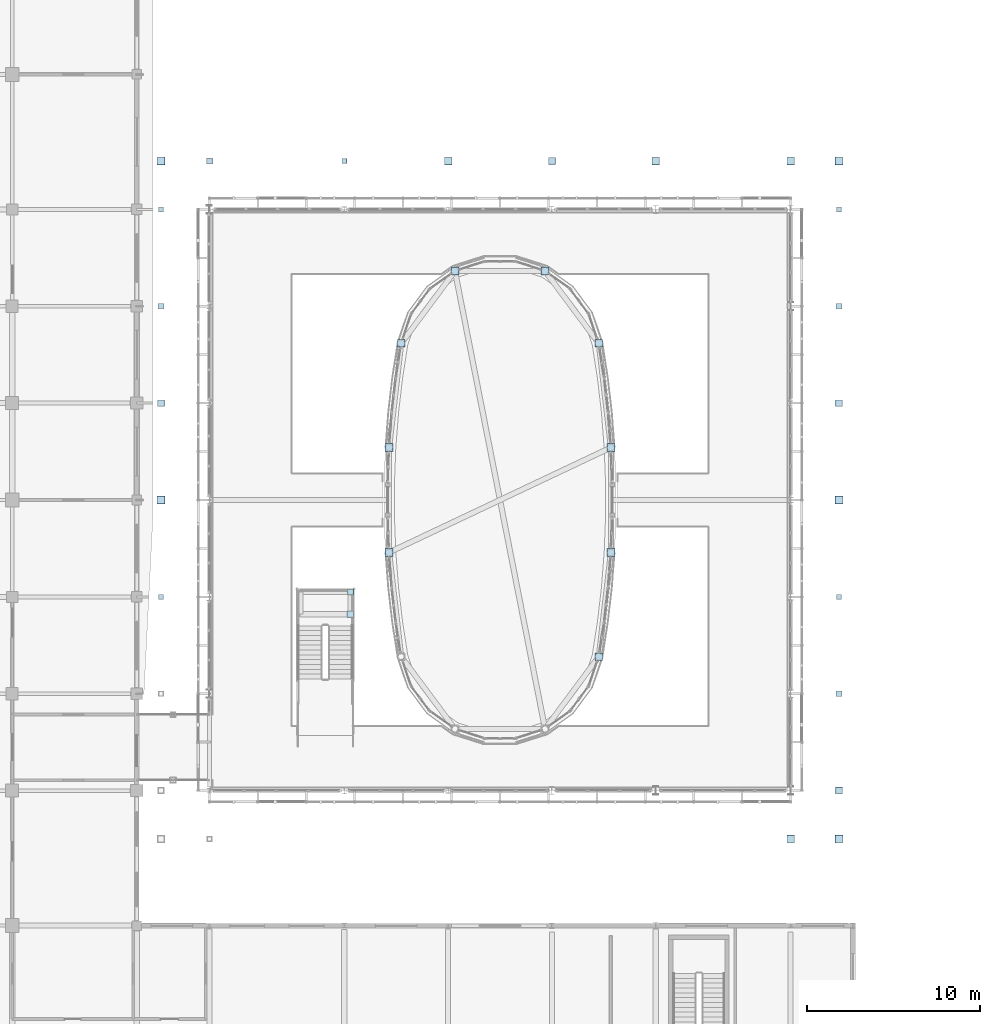
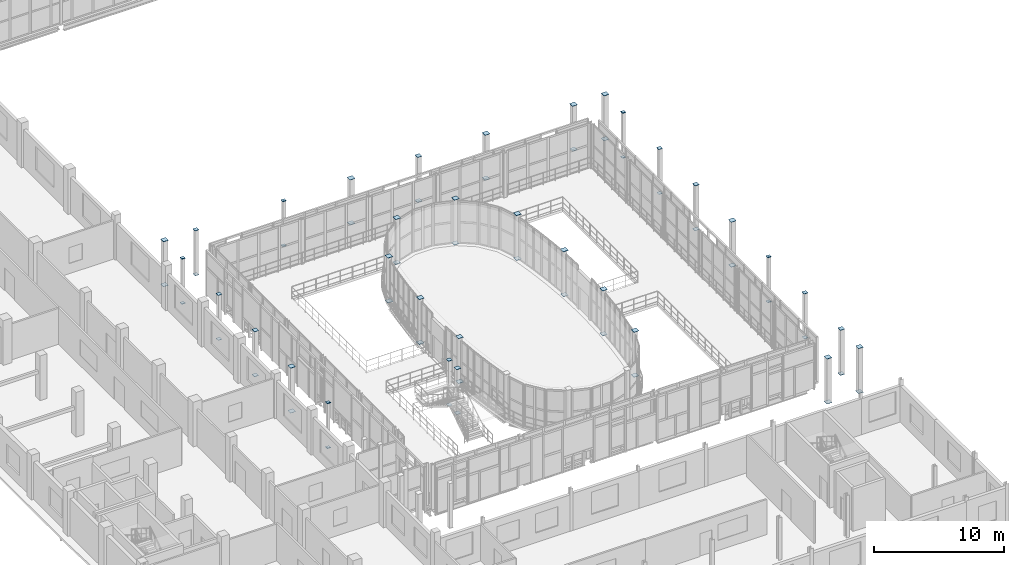
# One storey, part 89 of 121: 66 plates.
"""IFC4 building model written with IfcOpenShell, lengths in metres."""

from ifc_helpers import new_model, si_unit, direction, frame, origin, origin_2d, place, context, subcontext, project, spatial, rectangle, extrude, material, material_profile, profile_set, type_object, element, save


model = new_model("IFC4")

# Units and contexts
model_context = context("Model", 3, precision=1e-05, world=origin(), true_north=direction((0.0, 1.0)))
body_context = subcontext(model_context, "Body", "Model", "MODEL_VIEW")
ifc_project = project(units=[si_unit("LENGTHUNIT", "METRE"), si_unit("AREAUNIT", "SQUARE_METRE"), si_unit("VOLUMEUNIT", "CUBIC_METRE"), si_unit("PLANEANGLEUNIT", "RADIAN"), si_unit("MASSUNIT", "GRAM", prefix="KILO")], contexts=[model_context])

# Site, building, storey
site_placement = place(None, origin())
site = spatial("IfcSite", under=ifc_project, at=site_placement, CompositionType="ELEMENT")
building_placement = place(site_placement, origin())
building = spatial("IfcBuilding", under=site, at=building_placement, Name="Vinh Khe Railworks Police Headquarters", CompositionType="ELEMENT")
storey_placement = place(building_placement, frame((0.0, 0.0, 4.800048828125)))
storey = spatial("IfcBuildingStorey", under=building, at=storey_placement, Name="L01", CompositionType="ELEMENT", Elevation=4.800048828125)

# Plates
ifc_material = material(Name="Steel S355JR", Category="steel")
ifc_material_profile_1 = material_profile(ifc_material, rectangle(XDim=0.2900390625, YDim=0.2900390625, at=origin_2d()), Name="PL 290x290")
ifc_profile_set_1 = profile_set([ifc_material_profile_1], Name="Steel S355JR")
plate_type_1 = type_object("IfcPlateType", Name="Steel End-Cap Plate 290x290x24", PredefinedType="SHEET", material=ifc_profile_set_1)
plate_1_placement = place(storey_placement, frame((23.60009765625, 36.39990234375, 0.0), z_axis=(0.0, 0.0, -1.0), x_axis=(1.0, 0.0, 0.0)))
element("IfcPlate", 1, at=plate_1_placement, inside=storey, type_object=plate_type_1, Name="End-Cap Gusset Plate PLT-EP-0159", PredefinedType="SHEET", context=body_context, shape_type="SweptSolid", body=[
    extrude(rectangle(XDim=0.2900390625, YDim=0.2900390625, at=origin_2d()), origin(), (0.0, 0.0, 1.0), 0.024169921875),
])
plate_2_placement = place(storey_placement, frame((23.60009765625, 36.39990234375, 4.199951171875), z_axis=(0.0, 0.0, 1.0), x_axis=(1.0, 0.0, 0.0)))
element("IfcPlate", 2, at=plate_2_placement, inside=storey, type_object=plate_type_1, Name="End-Cap Gusset Plate PLT-EP-0162", PredefinedType="SHEET", context=body_context, shape_type="SweptSolid", body=[
    extrude(rectangle(XDim=0.2900390625, YDim=0.2900390625, at=origin_2d()), origin(), (0.0, 0.0, 1.0), 0.02392578125),
])
plate_3_placement = place(storey_placement, frame((23.60009765625, 58.800048828125, 0.0), z_axis=(0.0, 0.0, -1.0), x_axis=(1.0, 0.0, 0.0)))
element("IfcPlate", 3, at=plate_3_placement, inside=storey, type_object=plate_type_1, Name="End-Cap Gusset Plate PLT-EP-0196", PredefinedType="SHEET", context=body_context, shape_type="SweptSolid", body=[
    extrude(rectangle(XDim=0.2900390625, YDim=0.2900390625, at=origin_2d()), origin(), (0.0, 0.0, 1.0), 0.024169921875),
])
plate_4_placement = place(storey_placement, frame((23.60009765625, 58.800048828125, 4.199951171875), z_axis=(0.0, 0.0, 1.0), x_axis=(1.0, 0.0, 0.0)))
element("IfcPlate", 4, at=plate_4_placement, inside=storey, type_object=plate_type_1, Name="End-Cap Gusset Plate PLT-EP-0199", PredefinedType="SHEET", context=body_context, shape_type="SweptSolid", body=[
    extrude(rectangle(XDim=0.2900390625, YDim=0.2900390625, at=origin_2d()), origin(), (0.0, 0.0, 1.0), 0.02392578125),
])
plate_5_placement = place(storey_placement, frame((34.199951171875, 61.60009765625, 0.0), z_axis=(0.0, 0.0, -1.0), x_axis=(1.0, 0.0, 0.0)))
element("IfcPlate", 5, at=plate_5_placement, inside=storey, type_object=plate_type_1, Name="End-Cap Gusset Plate PLT-EP-0307", PredefinedType="SHEET", context=body_context, shape_type="SweptSolid", body=[
    extrude(rectangle(XDim=0.2900390625, YDim=0.2900390625, at=origin_2d()), origin(), (0.0, 0.0, 1.0), 0.024169921875),
])
plate_6_placement = place(storey_placement, frame((34.199951171875, 61.60009765625, 4.199951171875), z_axis=(0.0, 0.0, 1.0), x_axis=(1.0, 0.0, 0.0)))
element("IfcPlate", 6, at=plate_6_placement, inside=storey, type_object=plate_type_1, Name="End-Cap Gusset Plate PLT-EP-0310", PredefinedType="SHEET", context=body_context, shape_type="SweptSolid", body=[
    extrude(rectangle(XDim=0.2900390625, YDim=0.2900390625, at=origin_2d()), origin(), (0.0, 0.0, 1.0), 0.02392578125),
])
plate_7_placement = place(storey_placement, frame((62.800048828125, 36.39990234375, 0.0), z_axis=(0.0, 0.0, -1.0), x_axis=(1.0, 0.0, 0.0)))
element("IfcPlate", 7, at=plate_7_placement, inside=storey, type_object=plate_type_1, Name="End-Cap Gusset Plate PLT-EP-0607", PredefinedType="SHEET", context=body_context, shape_type="SweptSolid", body=[
    extrude(rectangle(XDim=0.2900390625, YDim=0.2900390625, at=origin_2d()), origin(), (0.0, 0.0, 1.0), 0.024169921875),
])
plate_8_placement = place(storey_placement, frame((62.800048828125, 36.39990234375, 4.199951171875), z_axis=(0.0, 0.0, 1.0), x_axis=(1.0, 0.0, 0.0)))
element("IfcPlate", 8, at=plate_8_placement, inside=storey, type_object=plate_type_1, Name="End-Cap Gusset Plate PLT-EP-0610", PredefinedType="SHEET", context=body_context, shape_type="SweptSolid", body=[
    extrude(rectangle(XDim=0.2900390625, YDim=0.2900390625, at=origin_2d()), origin(), (0.0, 0.0, 1.0), 0.02392578125),
])
plate_9_placement = place(storey_placement, frame((62.800048828125, 58.800048828125, 0.0), z_axis=(0.0, 0.0, -1.0), x_axis=(1.0, 0.0, 0.0)))
element("IfcPlate", 9, at=plate_9_placement, inside=storey, type_object=plate_type_1, Name="End-Cap Gusset Plate PLT-EP-0644", PredefinedType="SHEET", context=body_context, shape_type="SweptSolid", body=[
    extrude(rectangle(XDim=0.2900390625, YDim=0.2900390625, at=origin_2d()), origin(), (0.0, 0.0, 1.0), 0.024169921875),
])
plate_10_placement = place(storey_placement, frame((62.800048828125, 58.800048828125, 4.199951171875), z_axis=(0.0, 0.0, 1.0), x_axis=(1.0, 0.0, 0.0)))
element("IfcPlate", 10, at=plate_10_placement, inside=storey, type_object=plate_type_1, Name="End-Cap Gusset Plate PLT-EP-0647", PredefinedType="SHEET", context=body_context, shape_type="SweptSolid", body=[
    extrude(rectangle(XDim=0.2900390625, YDim=0.2900390625, at=origin_2d()), origin(), (0.0, 0.0, 1.0), 0.02392578125),
])
ifc_material_profile_2 = material_profile(ifc_material, rectangle(XDim=0.340087890625, YDim=0.340087890625, at=origin_2d()), Name="PL 340x340")
ifc_profile_set_2 = profile_set([ifc_material_profile_2], Name="Steel S355JR")
plate_type_2 = type_object("IfcPlateType", Name="Steel End-Cap Plate 340x340x24", PredefinedType="SHEET", material=ifc_profile_set_2)
plate_11_placement = place(storey_placement, frame((23.60009765625, 53.199951171875, 0.0), z_axis=(0.0, 0.0, -1.0), x_axis=(1.0, 0.0, 0.0)))
element("IfcPlate", 11, at=plate_11_placement, inside=storey, type_object=plate_type_2, Name="End-Cap Gusset Plate PLT-EP-0187", PredefinedType="SHEET", context=body_context, shape_type="SweptSolid", body=[
    extrude(rectangle(XDim=0.340087890625, YDim=0.340087890625, at=origin_2d()), origin(), (0.0, 0.0, 1.0), 0.024169921875),
])
plate_12_placement = place(storey_placement, frame((23.60009765625, 53.199951171875, 4.199951171875), z_axis=(0.0, 0.0, 1.0), x_axis=(1.0, 0.0, 0.0)))
element("IfcPlate", 12, at=plate_12_placement, inside=storey, type_object=plate_type_2, Name="End-Cap Gusset Plate PLT-EP-0190", PredefinedType="SHEET", context=body_context, shape_type="SweptSolid", body=[
    extrude(rectangle(XDim=0.340087890625, YDim=0.340087890625, at=origin_2d()), origin(), (0.0, 0.0, 1.0), 0.02392578125),
])
plate_13_placement = place(storey_placement, frame((26.39990234375, 61.60009765625, 0.0), z_axis=(0.0, 0.0, -1.0), x_axis=(1.0, 0.0, 0.0)))
element("IfcPlate", 13, at=plate_13_placement, inside=storey, type_object=plate_type_2, Name="End-Cap Gusset Plate PLT-EP-0245", PredefinedType="SHEET", context=body_context, shape_type="SweptSolid", body=[
    extrude(rectangle(XDim=0.340087890625, YDim=0.340087890625, at=origin_2d()), origin(), (0.0, 0.0, 1.0), 0.024169921875),
])
plate_14_placement = place(storey_placement, frame((26.39990234375, 61.60009765625, 4.199951171875), z_axis=(0.0, 0.0, 1.0), x_axis=(1.0, 0.0, 0.0)))
element("IfcPlate", 14, at=plate_14_placement, inside=storey, type_object=plate_type_2, Name="End-Cap Gusset Plate PLT-EP-0248", PredefinedType="SHEET", context=body_context, shape_type="SweptSolid", body=[
    extrude(rectangle(XDim=0.340087890625, YDim=0.340087890625, at=origin_2d()), origin(), (0.0, 0.0, 1.0), 0.02392578125),
])
plate_15_placement = place(storey_placement, frame((34.550048828125, 36.679931640625, 0.0), z_axis=(0.0, 0.0, -1.0), x_axis=(1.0, 0.0, 0.0)))
element("IfcPlate", 15, at=plate_15_placement, inside=storey, type_object=plate_type_2, Name="End-Cap Gusset Plate PLT-EP-0321", PredefinedType="SHEET", context=body_context, shape_type="SweptSolid", body=[
    extrude(rectangle(XDim=0.340087890625, YDim=0.340087890625, at=origin_2d()), origin(), (0.0, 0.0, 1.0), 0.024169921875),
])
plate_16_placement = place(storey_placement, frame((34.550048828125, 36.679931640625, 4.199951171875), z_axis=(0.0, 0.0, 1.0), x_axis=(1.0, 0.0, 0.0)))
element("IfcPlate", 16, at=plate_16_placement, inside=storey, type_object=plate_type_2, Name="End-Cap Gusset Plate PLT-EP-0324", PredefinedType="SHEET", context=body_context, shape_type="SweptSolid", body=[
    extrude(rectangle(XDim=0.340087890625, YDim=0.340087890625, at=origin_2d()), origin(), (0.0, 0.0, 1.0), 0.02392578125),
])
plate_17_placement = place(storey_placement, frame((62.800048828125, 30.800048828125, 0.0), z_axis=(0.0, 0.0, -1.0), x_axis=(1.0, 0.0, 0.0)))
element("IfcPlate", 17, at=plate_17_placement, inside=storey, type_object=plate_type_2, Name="End-Cap Gusset Plate PLT-EP-0599", PredefinedType="SHEET", context=body_context, shape_type="SweptSolid", body=[
    extrude(rectangle(XDim=0.340087890625, YDim=0.340087890625, at=origin_2d()), origin(), (0.0, 0.0, 1.0), 0.024169921875),
])
plate_18_placement = place(storey_placement, frame((62.800048828125, 30.800048828125, 4.199951171875), z_axis=(0.0, 0.0, 1.0), x_axis=(1.0, 0.0, 0.0)))
element("IfcPlate", 18, at=plate_18_placement, inside=storey, type_object=plate_type_2, Name="End-Cap Gusset Plate PLT-EP-0602", PredefinedType="SHEET", context=body_context, shape_type="SweptSolid", body=[
    extrude(rectangle(XDim=0.340087890625, YDim=0.340087890625, at=origin_2d()), origin(), (0.0, 0.0, 1.0), 0.02392578125),
])
plate_19_placement = place(storey_placement, frame((62.800048828125, 53.199951171875, 0.0), z_axis=(0.0, 0.0, -1.0), x_axis=(1.0, 0.0, 0.0)))
element("IfcPlate", 19, at=plate_19_placement, inside=storey, type_object=plate_type_2, Name="End-Cap Gusset Plate PLT-EP-0635", PredefinedType="SHEET", context=body_context, shape_type="SweptSolid", body=[
    extrude(rectangle(XDim=0.340087890625, YDim=0.340087890625, at=origin_2d()), origin(), (0.0, 0.0, 1.0), 0.024169921875),
])
plate_20_placement = place(storey_placement, frame((62.800048828125, 53.199951171875, 4.199951171875), z_axis=(0.0, 0.0, 1.0), x_axis=(1.0, 0.0, 0.0)))
element("IfcPlate", 20, at=plate_20_placement, inside=storey, type_object=plate_type_2, Name="End-Cap Gusset Plate PLT-EP-0638", PredefinedType="SHEET", context=body_context, shape_type="SweptSolid", body=[
    extrude(rectangle(XDim=0.340087890625, YDim=0.340087890625, at=origin_2d()), origin(), (0.0, 0.0, 1.0), 0.02392578125),
])
ifc_material_profile_3 = material_profile(ifc_material, rectangle(XDim=0.389892578125, YDim=0.389892578125, at=origin_2d()), Name="PL 390x390")
ifc_profile_set_3 = profile_set([ifc_material_profile_3], Name="Steel S355JR")
plate_type_3 = type_object("IfcPlateType", Name="Steel End-Cap Plate 390x390x24", PredefinedType="SHEET", material=ifc_profile_set_3)
plate_21_placement = place(storey_placement, frame((23.60009765625, 47.60009765625, 0.0), z_axis=(0.0, 0.0, -1.0), x_axis=(1.0, 0.0, 0.0)))
element("IfcPlate", 21, at=plate_21_placement, inside=storey, type_object=plate_type_3, Name="End-Cap Gusset Plate PLT-EP-0178", PredefinedType="SHEET", context=body_context, shape_type="SweptSolid", body=[
    extrude(rectangle(XDim=0.389892578125, YDim=0.389892578125, at=origin_2d()), origin(), (0.0, 0.0, 1.0), 0.024169921875),
])
plate_22_placement = place(storey_placement, frame((23.60009765625, 47.60009765625, 4.199951171875), z_axis=(0.0, 0.0, 1.0), x_axis=(1.0, 0.0, 0.0)))
element("IfcPlate", 22, at=plate_22_placement, inside=storey, type_object=plate_type_3, Name="End-Cap Gusset Plate PLT-EP-0181", PredefinedType="SHEET", context=body_context, shape_type="SweptSolid", body=[
    extrude(rectangle(XDim=0.389892578125, YDim=0.389892578125, at=origin_2d()), origin(), (0.0, 0.0, 1.0), 0.02392578125),
])
plate_23_placement = place(storey_placement, frame((34.550048828125, 35.39990234375, 0.0), z_axis=(0.0, 0.0, -1.0), x_axis=(1.0, 0.0, 0.0)))
element("IfcPlate", 23, at=plate_23_placement, inside=storey, type_object=plate_type_3, Name="End-Cap Gusset Plate PLT-EP-0315", PredefinedType="SHEET", context=body_context, shape_type="SweptSolid", body=[
    extrude(rectangle(XDim=0.389892578125, YDim=0.389892578125, at=origin_2d()), origin(), (0.0, 0.0, 1.0), 0.024169921875),
])
plate_24_placement = place(storey_placement, frame((34.550048828125, 35.39990234375, 4.199951171875), z_axis=(0.0, 0.0, 1.0), x_axis=(1.0, 0.0, 0.0)))
element("IfcPlate", 24, at=plate_24_placement, inside=storey, type_object=plate_type_3, Name="End-Cap Gusset Plate PLT-EP-0318", PredefinedType="SHEET", context=body_context, shape_type="SweptSolid", body=[
    extrude(rectangle(XDim=0.389892578125, YDim=0.389892578125, at=origin_2d()), origin(), (0.0, 0.0, 1.0), 0.02392578125),
])
plate_25_placement = place(storey_placement, frame((46.199951171875, 61.60009765625, 0.0), z_axis=(0.0, 0.0, -1.0), x_axis=(1.0, 0.0, 0.0)))
element("IfcPlate", 25, at=plate_25_placement, inside=storey, type_object=plate_type_3, Name="End-Cap Gusset Plate PLT-EP-0451", PredefinedType="SHEET", context=body_context, shape_type="SweptSolid", body=[
    extrude(rectangle(XDim=0.389892578125, YDim=0.389892578125, at=origin_2d()), origin(), (0.0, 0.0, 1.0), 0.024169921875),
])
plate_26_placement = place(storey_placement, frame((46.199951171875, 61.60009765625, 4.199951171875), z_axis=(0.0, 0.0, 1.0), x_axis=(1.0, 0.0, 0.0)))
element("IfcPlate", 26, at=plate_26_placement, inside=storey, type_object=plate_type_3, Name="End-Cap Gusset Plate PLT-EP-0454", PredefinedType="SHEET", context=body_context, shape_type="SweptSolid", body=[
    extrude(rectangle(XDim=0.389892578125, YDim=0.389892578125, at=origin_2d()), origin(), (0.0, 0.0, 1.0), 0.02392578125),
])
plate_27_placement = place(storey_placement, frame((62.800048828125, 25.199951171875, 0.0), z_axis=(0.0, 0.0, -1.0), x_axis=(1.0, 0.0, 0.0)))
element("IfcPlate", 27, at=plate_27_placement, inside=storey, type_object=plate_type_3, Name="End-Cap Gusset Plate PLT-EP-0590", PredefinedType="SHEET", context=body_context, shape_type="SweptSolid", body=[
    extrude(rectangle(XDim=0.389892578125, YDim=0.389892578125, at=origin_2d()), origin(), (0.0, 0.0, 1.0), 0.024169921875),
])
plate_28_placement = place(storey_placement, frame((62.800048828125, 25.199951171875, 4.199951171875), z_axis=(0.0, 0.0, 1.0), x_axis=(1.0, 0.0, 0.0)))
element("IfcPlate", 28, at=plate_28_placement, inside=storey, type_object=plate_type_3, Name="End-Cap Gusset Plate PLT-EP-0593", PredefinedType="SHEET", context=body_context, shape_type="SweptSolid", body=[
    extrude(rectangle(XDim=0.389892578125, YDim=0.389892578125, at=origin_2d()), origin(), (0.0, 0.0, 1.0), 0.02392578125),
])
plate_29_placement = place(storey_placement, frame((62.800048828125, 47.60009765625, 0.0), z_axis=(0.0, 0.0, -1.0), x_axis=(1.0, 0.0, 0.0)))
element("IfcPlate", 29, at=plate_29_placement, inside=storey, type_object=plate_type_3, Name="End-Cap Gusset Plate PLT-EP-0626", PredefinedType="SHEET", context=body_context, shape_type="SweptSolid", body=[
    extrude(rectangle(XDim=0.389892578125, YDim=0.389892578125, at=origin_2d()), origin(), (0.0, 0.0, 1.0), 0.024169921875),
])
plate_30_placement = place(storey_placement, frame((62.800048828125, 47.60009765625, 4.199951171875), z_axis=(0.0, 0.0, 1.0), x_axis=(1.0, 0.0, 0.0)))
element("IfcPlate", 30, at=plate_30_placement, inside=storey, type_object=plate_type_3, Name="End-Cap Gusset Plate PLT-EP-0629", PredefinedType="SHEET", context=body_context, shape_type="SweptSolid", body=[
    extrude(rectangle(XDim=0.389892578125, YDim=0.389892578125, at=origin_2d()), origin(), (0.0, 0.0, 1.0), 0.02392578125),
])
ifc_material_profile_4 = material_profile(ifc_material, rectangle(XDim=0.43994140625, YDim=0.43994140625, at=origin_2d()), Name="PL 440x440")
ifc_profile_set_4 = profile_set([ifc_material_profile_4], Name="Steel S355JR")
plate_type_4 = type_object("IfcPlateType", Name="Steel End-Cap Plate 440x440x24", PredefinedType="SHEET", material=ifc_profile_set_4)
plate_31_placement = place(storey_placement, frame((23.60009765625, 42.0, 0.0), z_axis=(0.0, 0.0, -1.0), x_axis=(1.0, 0.0, 0.0)))
element("IfcPlate", 31, at=plate_31_placement, inside=storey, type_object=plate_type_4, Name="End-Cap Gusset Plate PLT-EP-0168", PredefinedType="SHEET", context=body_context, shape_type="SweptSolid", body=[
    extrude(rectangle(XDim=0.43994140625, YDim=0.43994140625, at=origin_2d()), origin(), (0.0, 0.0, 1.0), 0.024169921875),
])
plate_32_placement = place(storey_placement, frame((23.60009765625, 42.0, 4.199951171875), z_axis=(0.0, 0.0, 1.0), x_axis=(1.0, 0.0, 0.0)))
element("IfcPlate", 32, at=plate_32_placement, inside=storey, type_object=plate_type_4, Name="End-Cap Gusset Plate PLT-EP-0171", PredefinedType="SHEET", context=body_context, shape_type="SweptSolid", body=[
    extrude(rectangle(XDim=0.43994140625, YDim=0.43994140625, at=origin_2d()), origin(), (0.0, 0.0, 1.0), 0.02392578125),
])
plate_33_placement = place(storey_placement, frame((23.60009765625, 61.60009765625, 0.0), z_axis=(0.0, 0.0, -1.0), x_axis=(1.0, 0.0, 0.0)))
element("IfcPlate", 33, at=plate_33_placement, inside=storey, type_object=plate_type_4, Name="End-Cap Gusset Plate PLT-EP-0204", PredefinedType="SHEET", context=body_context, shape_type="SweptSolid", body=[
    extrude(rectangle(XDim=0.43994140625, YDim=0.43994140625, at=origin_2d()), origin(), (0.0, 0.0, 1.0), 0.024169921875),
])
plate_34_placement = place(storey_placement, frame((23.60009765625, 61.60009765625, 4.199951171875), z_axis=(0.0, 0.0, 1.0), x_axis=(1.0, 0.0, 0.0)))
element("IfcPlate", 34, at=plate_34_placement, inside=storey, type_object=plate_type_4, Name="End-Cap Gusset Plate PLT-EP-0207", PredefinedType="SHEET", context=body_context, shape_type="SweptSolid", body=[
    extrude(rectangle(XDim=0.43994140625, YDim=0.43994140625, at=origin_2d()), origin(), (0.0, 0.0, 1.0), 0.02392578125),
])
plate_35_placement = place(storey_placement, frame((40.199951171875, 61.60009765625, 0.0), z_axis=(0.0, 0.0, -1.0), x_axis=(1.0, 0.0, 0.0)))
element("IfcPlate", 35, at=plate_35_placement, inside=storey, type_object=plate_type_4, Name="End-Cap Gusset Plate PLT-EP-0381", PredefinedType="SHEET", context=body_context, shape_type="SweptSolid", body=[
    extrude(rectangle(XDim=0.43994140625, YDim=0.43994140625, at=origin_2d()), origin(), (0.0, 0.0, 1.0), 0.024169921875),
])
plate_36_placement = place(storey_placement, frame((40.199951171875, 61.60009765625, 4.199951171875), z_axis=(0.0, 0.0, 1.0), x_axis=(1.0, 0.0, 0.0)))
element("IfcPlate", 36, at=plate_36_placement, inside=storey, type_object=plate_type_4, Name="End-Cap Gusset Plate PLT-EP-0384", PredefinedType="SHEET", context=body_context, shape_type="SweptSolid", body=[
    extrude(rectangle(XDim=0.43994140625, YDim=0.43994140625, at=origin_2d()), origin(), (0.0, 0.0, 1.0), 0.02392578125),
])
plate_37_placement = place(storey_placement, frame((52.199951171875, 61.60009765625, 0.0), z_axis=(0.0, 0.0, -1.0), x_axis=(1.0, 0.0, 0.0)))
element("IfcPlate", 37, at=plate_37_placement, inside=storey, type_object=plate_type_4, Name="End-Cap Gusset Plate PLT-EP-0521", PredefinedType="SHEET", context=body_context, shape_type="SweptSolid", body=[
    extrude(rectangle(XDim=0.43994140625, YDim=0.43994140625, at=origin_2d()), origin(), (0.0, 0.0, 1.0), 0.024169921875),
])
plate_38_placement = place(storey_placement, frame((52.199951171875, 61.60009765625, 4.199951171875), z_axis=(0.0, 0.0, 1.0), x_axis=(1.0, 0.0, 0.0)))
element("IfcPlate", 38, at=plate_38_placement, inside=storey, type_object=plate_type_4, Name="End-Cap Gusset Plate PLT-EP-0524", PredefinedType="SHEET", context=body_context, shape_type="SweptSolid", body=[
    extrude(rectangle(XDim=0.43994140625, YDim=0.43994140625, at=origin_2d()), origin(), (0.0, 0.0, 1.0), 0.02392578125),
])
plate_39_placement = place(storey_placement, frame((60.0, 22.39990234375, 0.0), z_axis=(0.0, 0.0, -1.0), x_axis=(1.0, 0.0, 0.0)))
element("IfcPlate", 39, at=plate_39_placement, inside=storey, type_object=plate_type_4, Name="End-Cap Gusset Plate PLT-EP-0551", PredefinedType="SHEET", context=body_context, shape_type="SweptSolid", body=[
    extrude(rectangle(XDim=0.43994140625, YDim=0.43994140625, at=origin_2d()), origin(), (0.0, 0.0, 1.0), 0.024169921875),
])
plate_40_placement = place(storey_placement, frame((60.0, 22.39990234375, 4.199951171875), z_axis=(0.0, 0.0, 1.0), x_axis=(1.0, 0.0, 0.0)))
element("IfcPlate", 40, at=plate_40_placement, inside=storey, type_object=plate_type_4, Name="End-Cap Gusset Plate PLT-EP-0554", PredefinedType="SHEET", context=body_context, shape_type="SweptSolid", body=[
    extrude(rectangle(XDim=0.43994140625, YDim=0.43994140625, at=origin_2d()), origin(), (0.0, 0.0, 1.0), 0.02392578125),
])
plate_41_placement = place(storey_placement, frame((60.0, 61.60009765625, 0.0), z_axis=(0.0, 0.0, -1.0), x_axis=(1.0, 0.0, 0.0)))
element("IfcPlate", 41, at=plate_41_placement, inside=storey, type_object=plate_type_4, Name="End-Cap Gusset Plate PLT-EP-0572", PredefinedType="SHEET", context=body_context, shape_type="SweptSolid", body=[
    extrude(rectangle(XDim=0.43994140625, YDim=0.43994140625, at=origin_2d()), origin(), (0.0, 0.0, 1.0), 0.024169921875),
])
plate_42_placement = place(storey_placement, frame((60.0, 61.60009765625, 4.199951171875), z_axis=(0.0, 0.0, 1.0), x_axis=(1.0, 0.0, 0.0)))
element("IfcPlate", 42, at=plate_42_placement, inside=storey, type_object=plate_type_4, Name="End-Cap Gusset Plate PLT-EP-0575", PredefinedType="SHEET", context=body_context, shape_type="SweptSolid", body=[
    extrude(rectangle(XDim=0.43994140625, YDim=0.43994140625, at=origin_2d()), origin(), (0.0, 0.0, 1.0), 0.02392578125),
])
plate_43_placement = place(storey_placement, frame((62.800048828125, 22.39990234375, 0.0), z_axis=(0.0, 0.0, -1.0), x_axis=(1.0, 0.0, 0.0)))
element("IfcPlate", 43, at=plate_43_placement, inside=storey, type_object=plate_type_4, Name="End-Cap Gusset Plate PLT-EP-0582", PredefinedType="SHEET", context=body_context, shape_type="SweptSolid", body=[
    extrude(rectangle(XDim=0.43994140625, YDim=0.43994140625, at=origin_2d()), origin(), (0.0, 0.0, 1.0), 0.024169921875),
])
plate_44_placement = place(storey_placement, frame((62.800048828125, 22.39990234375, 4.199951171875), z_axis=(0.0, 0.0, 1.0), x_axis=(1.0, 0.0, 0.0)))
element("IfcPlate", 44, at=plate_44_placement, inside=storey, type_object=plate_type_4, Name="End-Cap Gusset Plate PLT-EP-0585", PredefinedType="SHEET", context=body_context, shape_type="SweptSolid", body=[
    extrude(rectangle(XDim=0.43994140625, YDim=0.43994140625, at=origin_2d()), origin(), (0.0, 0.0, 1.0), 0.02392578125),
])
plate_45_placement = place(storey_placement, frame((62.800048828125, 42.0, 0.0), z_axis=(0.0, 0.0, -1.0), x_axis=(1.0, 0.0, 0.0)))
element("IfcPlate", 45, at=plate_45_placement, inside=storey, type_object=plate_type_4, Name="End-Cap Gusset Plate PLT-EP-0616", PredefinedType="SHEET", context=body_context, shape_type="SweptSolid", body=[
    extrude(rectangle(XDim=0.43994140625, YDim=0.43994140625, at=origin_2d()), origin(), (0.0, 0.0, 1.0), 0.024169921875),
])
plate_46_placement = place(storey_placement, frame((62.800048828125, 42.0, 4.199951171875), z_axis=(0.0, 0.0, 1.0), x_axis=(1.0, 0.0, 0.0)))
element("IfcPlate", 46, at=plate_46_placement, inside=storey, type_object=plate_type_4, Name="End-Cap Gusset Plate PLT-EP-0619", PredefinedType="SHEET", context=body_context, shape_type="SweptSolid", body=[
    extrude(rectangle(XDim=0.43994140625, YDim=0.43994140625, at=origin_2d()), origin(), (0.0, 0.0, 1.0), 0.02392578125),
])
plate_47_placement = place(storey_placement, frame((62.800048828125, 61.60009765625, 0.0), z_axis=(0.0, 0.0, -1.0), x_axis=(1.0, 0.0, 0.0)))
element("IfcPlate", 47, at=plate_47_placement, inside=storey, type_object=plate_type_4, Name="End-Cap Gusset Plate PLT-EP-0652", PredefinedType="SHEET", context=body_context, shape_type="SweptSolid", body=[
    extrude(rectangle(XDim=0.43994140625, YDim=0.43994140625, at=origin_2d()), origin(), (0.0, 0.0, 1.0), 0.024169921875),
])
plate_48_placement = place(storey_placement, frame((62.800048828125, 61.60009765625, 4.199951171875), z_axis=(0.0, 0.0, 1.0), x_axis=(1.0, 0.0, 0.0)))
element("IfcPlate", 48, at=plate_48_placement, inside=storey, type_object=plate_type_4, Name="End-Cap Gusset Plate PLT-EP-0655", PredefinedType="SHEET", context=body_context, shape_type="SweptSolid", body=[
    extrude(rectangle(XDim=0.43994140625, YDim=0.43994140625, at=origin_2d()), origin(), (0.0, 0.0, 1.0), 0.02392578125),
])
ifc_material_profile_5 = material_profile(ifc_material, rectangle(XDim=0.446044921875, YDim=0.446044921875, at=origin_2d()), Name="PL 446x446")
ifc_profile_set_5 = profile_set([ifc_material_profile_5], Name="Steel S355JR")
plate_type_5 = type_object("IfcPlateType", Name="Steel End-Cap Plate 446x446x24", PredefinedType="SHEET", material=ifc_profile_set_5)
plate_49_placement = place(storey_placement, frame((36.78759765625, 38.968017578125, 0.0), z_axis=(0.0, 0.0, -1.0), x_axis=(1.0, 0.0, 0.0)))
element("IfcPlate", 49, at=plate_49_placement, inside=storey, type_object=plate_type_5, Name="End-Cap Gusset Plate PLT-EP-0335", PredefinedType="SHEET", context=body_context, shape_type="SweptSolid", body=[
    extrude(rectangle(XDim=0.446044921875, YDim=0.446044921875, at=origin_2d()), origin(), (0.0, 0.0, 1.0), 0.024169921875),
])
plate_50_placement = place(storey_placement, frame((36.78759765625, 38.968017578125, 4.199951171875), z_axis=(0.0, 0.0, 1.0), x_axis=(1.0, 0.0, 0.0)))
element("IfcPlate", 50, at=plate_50_placement, inside=storey, type_object=plate_type_5, Name="End-Cap Gusset Plate PLT-EP-0338", PredefinedType="SHEET", context=body_context, shape_type="SweptSolid", body=[
    extrude(rectangle(XDim=0.446044921875, YDim=0.446044921875, at=origin_2d()), origin(), (0.0, 0.0, 1.0), 0.02392578125),
])
plate_51_placement = place(storey_placement, frame((36.78759765625, 45.031982421875, 0.0), z_axis=(0.0, 0.0, -1.0), x_axis=(1.0, 0.0, 0.0)))
element("IfcPlate", 51, at=plate_51_placement, inside=storey, type_object=plate_type_5, Name="End-Cap Gusset Plate PLT-EP-0343", PredefinedType="SHEET", context=body_context, shape_type="SweptSolid", body=[
    extrude(rectangle(XDim=0.446044921875, YDim=0.446044921875, at=origin_2d()), origin(), (0.0, 0.0, 1.0), 0.024169921875),
])
plate_52_placement = place(storey_placement, frame((36.78759765625, 45.031982421875, 4.199951171875), z_axis=(0.0, 0.0, 1.0), x_axis=(1.0, 0.0, 0.0)))
element("IfcPlate", 52, at=plate_52_placement, inside=storey, type_object=plate_type_5, Name="End-Cap Gusset Plate PLT-EP-0346", PredefinedType="SHEET", context=body_context, shape_type="SweptSolid", body=[
    extrude(rectangle(XDim=0.446044921875, YDim=0.446044921875, at=origin_2d()), origin(), (0.0, 0.0, 1.0), 0.02392578125),
])
plate_53_placement = place(storey_placement, frame((37.48681640625, 51.055908203125, 0.0), z_axis=(0.0, 0.0, -1.0), x_axis=(1.0, 0.0, 0.0)))
element("IfcPlate", 53, at=plate_53_placement, inside=storey, type_object=plate_type_5, Name="End-Cap Gusset Plate PLT-EP-0359", PredefinedType="SHEET", context=body_context, shape_type="SweptSolid", body=[
    extrude(rectangle(XDim=0.446044921875, YDim=0.446044921875, at=origin_2d()), origin(), (0.0, 0.0, 1.0), 0.024169921875),
])
plate_54_placement = place(storey_placement, frame((37.48681640625, 51.055908203125, 4.199951171875), z_axis=(0.0, 0.0, 1.0), x_axis=(1.0, 0.0, 0.0)))
element("IfcPlate", 54, at=plate_54_placement, inside=storey, type_object=plate_type_5, Name="End-Cap Gusset Plate PLT-EP-0362", PredefinedType="SHEET", context=body_context, shape_type="SweptSolid", body=[
    extrude(rectangle(XDim=0.446044921875, YDim=0.446044921875, at=origin_2d()), origin(), (0.0, 0.0, 1.0), 0.02392578125),
])
plate_55_placement = place(storey_placement, frame((40.594970703125, 55.237548828125, 0.0), z_axis=(0.0, 0.0, -1.0), x_axis=(1.0, 0.0, 0.0)))
element("IfcPlate", 55, at=plate_55_placement, inside=storey, type_object=plate_type_5, Name="End-Cap Gusset Plate PLT-EP-0405", PredefinedType="SHEET", context=body_context, shape_type="SweptSolid", body=[
    extrude(rectangle(XDim=0.446044921875, YDim=0.446044921875, at=origin_2d()), origin(), (0.0, 0.0, 1.0), 0.024169921875),
])
plate_56_placement = place(storey_placement, frame((40.594970703125, 55.237548828125, 4.199951171875), z_axis=(0.0, 0.0, 1.0), x_axis=(1.0, 0.0, 0.0)))
element("IfcPlate", 56, at=plate_56_placement, inside=storey, type_object=plate_type_5, Name="End-Cap Gusset Plate PLT-EP-0408", PredefinedType="SHEET", context=body_context, shape_type="SweptSolid", body=[
    extrude(rectangle(XDim=0.446044921875, YDim=0.446044921875, at=origin_2d()), origin(), (0.0, 0.0, 1.0), 0.02392578125),
])
plate_57_placement = place(storey_placement, frame((45.80517578125, 55.237548828125, 0.0), z_axis=(0.0, 0.0, -1.0), x_axis=(1.0, 0.0, 0.0)))
element("IfcPlate", 57, at=plate_57_placement, inside=storey, type_object=plate_type_5, Name="End-Cap Gusset Plate PLT-EP-0435", PredefinedType="SHEET", context=body_context, shape_type="SweptSolid", body=[
    extrude(rectangle(XDim=0.446044921875, YDim=0.446044921875, at=origin_2d()), origin(), (0.0, 0.0, 1.0), 0.024169921875),
])
plate_58_placement = place(storey_placement, frame((45.80517578125, 55.237548828125, 4.199951171875), z_axis=(0.0, 0.0, 1.0), x_axis=(1.0, 0.0, 0.0)))
element("IfcPlate", 58, at=plate_58_placement, inside=storey, type_object=plate_type_5, Name="End-Cap Gusset Plate PLT-EP-0438", PredefinedType="SHEET", context=body_context, shape_type="SweptSolid", body=[
    extrude(rectangle(XDim=0.446044921875, YDim=0.446044921875, at=origin_2d()), origin(), (0.0, 0.0, 1.0), 0.02392578125),
])
plate_59_placement = place(storey_placement, frame((48.9130859375, 32.944091796875, 0.0), z_axis=(0.0, 0.0, -1.0), x_axis=(1.0, 0.0, 0.0)))
element("IfcPlate", 59, at=plate_59_placement, inside=storey, type_object=plate_type_5, Name="End-Cap Gusset Plate PLT-EP-0481", PredefinedType="SHEET", context=body_context, shape_type="SweptSolid", body=[
    extrude(rectangle(XDim=0.446044921875, YDim=0.446044921875, at=origin_2d()), origin(), (0.0, 0.0, 1.0), 0.024169921875),
])
plate_60_placement = place(storey_placement, frame((48.9130859375, 32.944091796875, 4.199951171875), z_axis=(0.0, 0.0, 1.0), x_axis=(1.0, 0.0, 0.0)))
element("IfcPlate", 60, at=plate_60_placement, inside=storey, type_object=plate_type_5, Name="End-Cap Gusset Plate PLT-EP-0484", PredefinedType="SHEET", context=body_context, shape_type="SweptSolid", body=[
    extrude(rectangle(XDim=0.446044921875, YDim=0.446044921875, at=origin_2d()), origin(), (0.0, 0.0, 1.0), 0.02392578125),
])
plate_61_placement = place(storey_placement, frame((48.9130859375, 51.055908203125, 0.0), z_axis=(0.0, 0.0, -1.0), x_axis=(1.0, 0.0, 0.0)))
element("IfcPlate", 61, at=plate_61_placement, inside=storey, type_object=plate_type_5, Name="End-Cap Gusset Plate PLT-EP-0489", PredefinedType="SHEET", context=body_context, shape_type="SweptSolid", body=[
    extrude(rectangle(XDim=0.446044921875, YDim=0.446044921875, at=origin_2d()), origin(), (0.0, 0.0, 1.0), 0.024169921875),
])
plate_62_placement = place(storey_placement, frame((48.9130859375, 51.055908203125, 4.199951171875), z_axis=(0.0, 0.0, 1.0), x_axis=(1.0, 0.0, 0.0)))
element("IfcPlate", 62, at=plate_62_placement, inside=storey, type_object=plate_type_5, Name="End-Cap Gusset Plate PLT-EP-0492", PredefinedType="SHEET", context=body_context, shape_type="SweptSolid", body=[
    extrude(rectangle(XDim=0.446044921875, YDim=0.446044921875, at=origin_2d()), origin(), (0.0, 0.0, 1.0), 0.02392578125),
])
plate_63_placement = place(storey_placement, frame((49.6123046875, 38.968017578125, 0.0), z_axis=(0.0, 0.0, -1.0), x_axis=(1.0, 0.0, 0.0)))
element("IfcPlate", 63, at=plate_63_placement, inside=storey, type_object=plate_type_5, Name="End-Cap Gusset Plate PLT-EP-0497", PredefinedType="SHEET", context=body_context, shape_type="SweptSolid", body=[
    extrude(rectangle(XDim=0.446044921875, YDim=0.446044921875, at=origin_2d()), origin(), (0.0, 0.0, 1.0), 0.024169921875),
])
plate_64_placement = place(storey_placement, frame((49.6123046875, 38.968017578125, 4.199951171875), z_axis=(0.0, 0.0, 1.0), x_axis=(1.0, 0.0, 0.0)))
element("IfcPlate", 64, at=plate_64_placement, inside=storey, type_object=plate_type_5, Name="End-Cap Gusset Plate PLT-EP-0500", PredefinedType="SHEET", context=body_context, shape_type="SweptSolid", body=[
    extrude(rectangle(XDim=0.446044921875, YDim=0.446044921875, at=origin_2d()), origin(), (0.0, 0.0, 1.0), 0.02392578125),
])
plate_65_placement = place(storey_placement, frame((49.6123046875, 45.031982421875, 0.0), z_axis=(0.0, 0.0, -1.0), x_axis=(1.0, 0.0, 0.0)))
element("IfcPlate", 65, at=plate_65_placement, inside=storey, type_object=plate_type_5, Name="End-Cap Gusset Plate PLT-EP-0505", PredefinedType="SHEET", context=body_context, shape_type="SweptSolid", body=[
    extrude(rectangle(XDim=0.446044921875, YDim=0.446044921875, at=origin_2d()), origin(), (0.0, 0.0, 1.0), 0.024169921875),
])
plate_66_placement = place(storey_placement, frame((49.6123046875, 45.031982421875, 4.199951171875), z_axis=(0.0, 0.0, 1.0), x_axis=(1.0, 0.0, 0.0)))
element("IfcPlate", 66, at=plate_66_placement, inside=storey, type_object=plate_type_5, Name="End-Cap Gusset Plate PLT-EP-0508", PredefinedType="SHEET", context=body_context, shape_type="SweptSolid", body=[
    extrude(rectangle(XDim=0.446044921875, YDim=0.446044921875, at=origin_2d()), origin(), (0.0, 0.0, 1.0), 0.02392578125),
])

save(model, "model.ifc")
